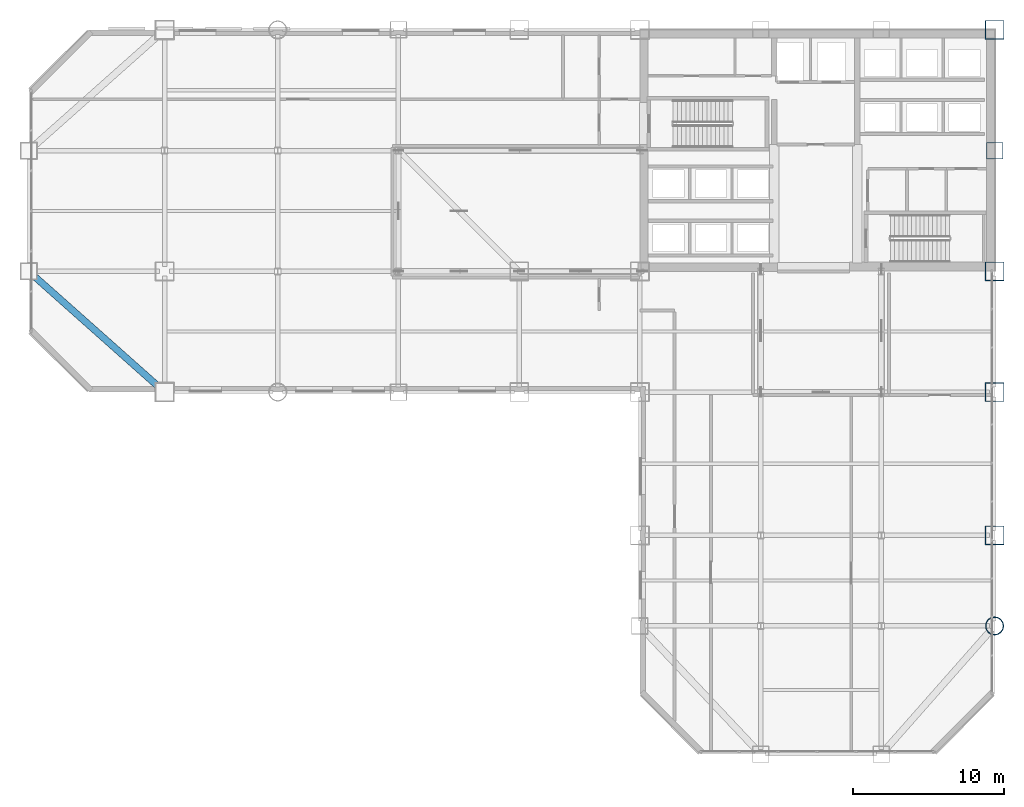
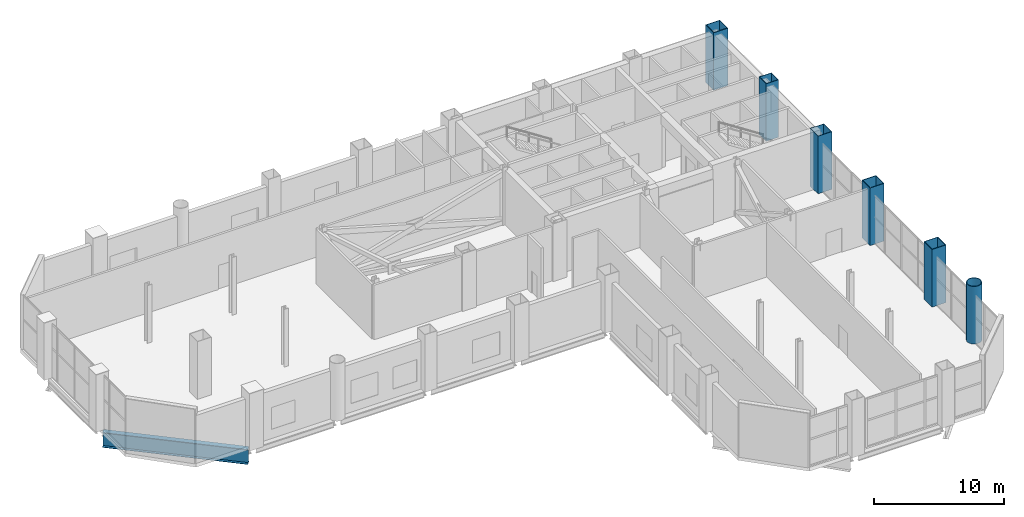
# One storey, part 3 of 26: 6 columns, 1 beam.
"""IFC4 building model written with IfcOpenShell, lengths in metres."""

from ifc_helpers import new_model, si_unit, direction, frame, origin, origin_2d, place, context, subcontext, project, spatial, hollow_rectangle, hollow_circle, i_section, extrude, material, material_profile, profile_set, type_object, element, save


model = new_model("IFC4")

# Units and contexts
model_context = context("Model", 3, precision=1e-05, world=origin(), true_north=direction((0.0, 1.0)))
body_context = subcontext(model_context, "Body", "Model", "MODEL_VIEW")
ifc_project = project(units=[si_unit("LENGTHUNIT", "METRE"), si_unit("AREAUNIT", "SQUARE_METRE"), si_unit("VOLUMEUNIT", "CUBIC_METRE"), si_unit("PLANEANGLEUNIT", "RADIAN"), si_unit("MASSUNIT", "GRAM", prefix="KILO")], contexts=[model_context])

# Site, building, storey
site_placement = place(None, origin())
site = spatial("IfcSite", under=ifc_project, at=site_placement, CompositionType="ELEMENT")
building_placement = place(site_placement, origin())
building = spatial("IfcBuilding", under=site, at=building_placement, Name="Qianrong Seaharbour Tower", CompositionType="ELEMENT")
storey_placement = place(building_placement, frame((0.0, 0.0, 108.199951171875)))
storey = spatial("IfcBuildingStorey", under=building, at=storey_placement, Name="L26", CompositionType="ELEMENT", Elevation=108.199951171875)

# Columns
ifc_material = material(Name="Structural steel SN490B", Category="steel")
ifc_material_profile_1 = material_profile(ifc_material, hollow_rectangle(XDim=1.25, YDim=1.25, WallThickness=0.044921875, at=origin_2d()), Name="BOX1250x1250x45")
ifc_profile_set_1 = profile_set([ifc_material_profile_1], Name="Structural steel SN490B")
column_type_1 = type_object("IfcColumnType", Name="COL-CFT-1250", PredefinedType="COLUMN", material=ifc_profile_set_1)
for number, where, z_axis, x_axis, name in (
    (1, (64.0, 18.5, 0.0), (0.0, 0.0, 1.0), (1.0, 0.0, 0.0), "L26 Column MC-2 at G9/GD"),
    (2, (64.0, 28.0, 0.0), (0.0, 0.0, 1.0), (1.0, 0.0, 0.0), "L26 Column MC-2 at G9/GE"),
    (3, (64.0, 36.0, 0.0), (0.0, 0.0, 1.0), (1.0, 0.0, 0.0), "L26 Column MC-2 at G9/GF"),
    (4, (64.0, 52.0, 0.0), (0.0, 0.0, 1.0), (1.0, 0.0, 0.0), "L26 Column MC-2 at G9/GH"),
):
    element("IfcColumn", number, at=place(storey_placement, frame(where, z_axis=z_axis, x_axis=x_axis)), inside=storey, type_object=column_type_1, Name=name, PredefinedType="COLUMN", context=body_context, shape_type="SweptSolid", body=[
        extrude(hollow_rectangle(XDim=1.25, YDim=1.25, WallThickness=0.044921875, at=origin_2d()), origin(), (0.0, 0.0, 1.0), 5.400146484375),
    ])
ifc_material_profile_2 = material_profile(ifc_material, hollow_circle(Radius=0.60009765625, WallThickness=0.0400390625, at=origin_2d()), Name="CHS1200x40")
ifc_profile_set_2 = profile_set([ifc_material_profile_2], Name="Structural steel SN490B")
column_type_2 = type_object("IfcColumnType", Name="COL-CHS-1200", PredefinedType="COLUMN", material=ifc_profile_set_2)
column_1_placement = place(storey_placement, frame((64.0, 12.5, 0.0), z_axis=(0.0, 0.0, 1.0), x_axis=(1.0, 0.0, 0.0)))
element("IfcColumn", 5, at=column_1_placement, inside=storey, type_object=column_type_2, Name="L26 Column CC-1 at G9/GC", PredefinedType="COLUMN", context=body_context, shape_type="SweptSolid", body=[
    extrude(hollow_circle(Radius=0.60009765625, WallThickness=0.0400390625, at=origin_2d()), origin(), (0.0, 0.0, 1.0), 5.400146484375),
])
ifc_material_profile_3 = material_profile(ifc_material, hollow_rectangle(XDim=1.10009765625, YDim=1.10009765625, WallThickness=0.0400390625, at=origin_2d()), Name="BOX1100x1100x40")
ifc_profile_set_3 = profile_set([ifc_material_profile_3], Name="Structural steel SN490B")
column_type_3 = type_object("IfcColumnType", Name="COL-PER-1100", PredefinedType="COLUMN", material=ifc_profile_set_3)
column_2_placement = place(storey_placement, frame((64.0, 44.0, 0.0), z_axis=(0.0, 0.0, 1.0), x_axis=(1.0, 0.0, 0.0)))
element("IfcColumn", 6, at=column_2_placement, inside=storey, type_object=column_type_3, Name="L26 Column PC-1 at G9/GG", PredefinedType="COLUMN", context=body_context, shape_type="SweptSolid", body=[
    extrude(hollow_rectangle(XDim=1.10009765625, YDim=1.10009765625, WallThickness=0.0400390625, at=origin_2d()), origin(), (0.0, 0.0, 1.0), 5.400146484375),
])

# Beam
ifc_material_profile_4 = material_profile(ifc_material, i_section(OverallWidth=0.449951171875, OverallDepth=1.39990234375, WebThickness=0.02197265625, FlangeThickness=0.0400390625, at=origin_2d()), Name="BH1400x450x22x40")
ifc_profile_set_4 = profile_set([ifc_material_profile_4], Name="Structural steel SN490B")
beam_type = type_object("IfcBeamType", Name="BM-TG-1400", PredefinedType="BEAM", material=ifc_profile_set_4)
beam_placement = place(storey_placement, frame((8.7607421875, 28.212646484375, -1.050048828125), z_axis=(-0.747406955841, 0.664366497018, 0.0), x_axis=(-0.664366497018, -0.747406955841, 0.0)))
element("IfcBeam", 7, at=beam_placement, inside=storey, type_object=beam_type, Name="L26 Chamfer Corner Spandrel Girder G1/GE", PredefinedType="BEAM", context=body_context, shape_type="SweptSolid", body=[
    extrude(i_section(OverallWidth=0.449951171875, OverallDepth=1.39990234375, WebThickness=0.02197265625, FlangeThickness=0.0400390625, at=origin_2d()), origin(), (0.0, 0.0, 1.0), 11.4013671875),
])

save(model, "model.ifc")
